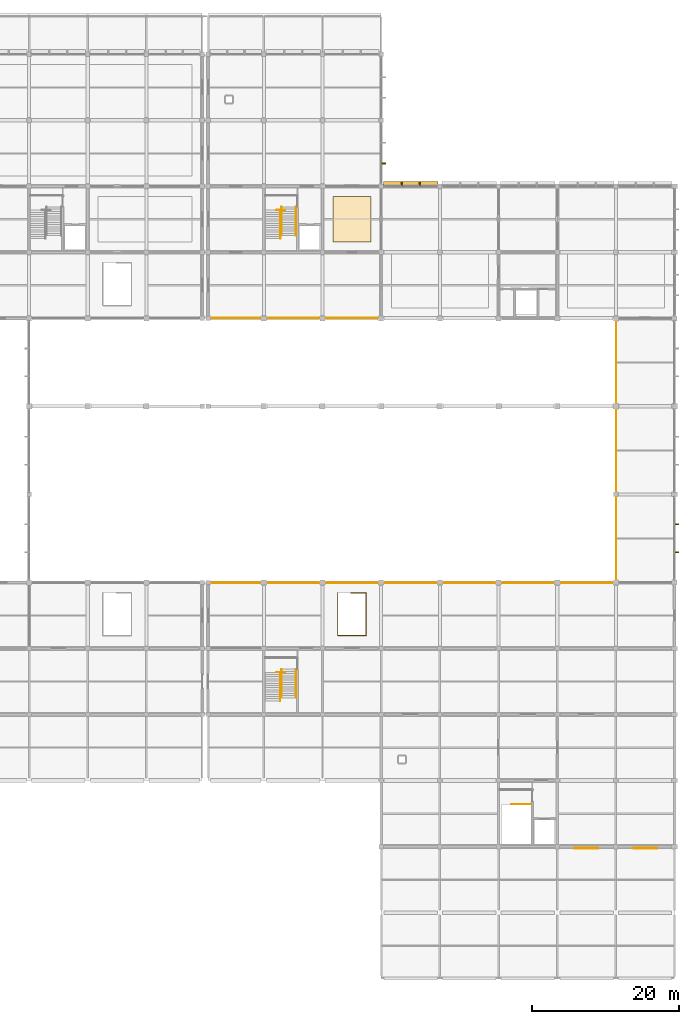
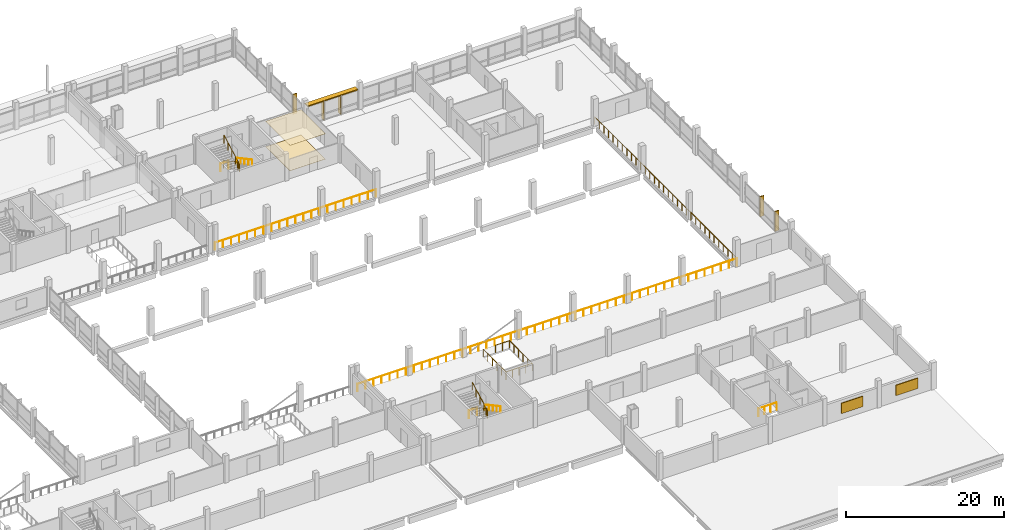
# One storey, part 56 of 57: 11 railings, 8 shading devices, 2 coverings.
"""IFC4 building model written with IfcOpenShell, lengths in metres."""

import ifcopenshell
import ifcopenshell.guid

model = None  # the IFC model being written
_history = None  # IfcOwnerHistory: only IFC2X3 demands one
_inside = {}  # id of a spatial element -> (the spatial element, [elements in it])
_under = {}  # id of a project, library or spatial element -> (it, [spatial elements below it])
_declared = {}  # id of a project -> (the project, [libraries it declares])
_typed = {}  # id of a type object -> (the type object, [elements of that type])
_made_of = {}  # id of a material, layer set ... -> (it, [elements and type objects made of it])


def new_model(schema):
    """Start an empty IFC model of exactly this schema.

    Asked for "IFC4X3", IfcOpenShell would pick the latest addendum, in which some entities
    have other attributes; the version numbers below select the first issue.
    IFC2X3 requires an IfcOwnerHistory on every rooted entity: one is made here for all.
    """
    global model, _history
    if schema == "IFC4X3":
        model = ifcopenshell.file(schema_version=(4, 3, 0, 0))
    else:
        model = ifcopenshell.file(schema=schema)
    _inside.clear()
    _under.clear()
    _declared.clear()
    _typed.clear()
    _made_of.clear()
    _history = None
    if model.schema == "IFC2X3":
        org = make("IfcOrganization", Name="unknown")
        user = make(
            "IfcPersonAndOrganization",
            ThePerson=make("IfcPerson", FamilyName="unknown"),
            TheOrganization=org,
        )
        app = make(
            "IfcApplication",
            ApplicationDeveloper=org,
            Version="unknown",
            ApplicationFullName="unknown",
            ApplicationIdentifier="unknown",
        )
        _history = make(
            "IfcOwnerHistory",
            OwningUser=user,
            OwningApplication=app,
            ChangeAction="ADDED",
            CreationDate=0,
        )
    return model


def make(cls, **values):
    """One entity of the class cls with the attributes given. An attribute that is None is left unset."""
    return model.create_entity(
        cls, **{name: value for name, value in values.items() if value is not None}
    )


def rooted(cls, **values):
    """An entity with a GlobalId (a new one), such as an element, a storey or a relation."""
    return make(cls, GlobalId=ifcopenshell.guid.new(), OwnerHistory=_history, **values)


def si_unit(unit_type, name, prefix=None):
    """IfcSIUnit, for example si_unit("LENGTHUNIT", "METRE", prefix="MILLI")."""
    return make("IfcSIUnit", UnitType=unit_type, Prefix=prefix, Name=name)


def assignment(units):
    """IfcUnitAssignment: the units of a project."""
    return None if units is None else make("IfcUnitAssignment", Units=units)


def point(xyz):
    """IfcCartesianPoint."""
    return None if xyz is None else make("IfcCartesianPoint", Coordinates=xyz)


def direction(xyz):
    """IfcDirection."""
    return None if xyz is None else make("IfcDirection", DirectionRatios=xyz)


def frame(location, z_axis=None, x_axis=None):
    """IfcAxis2Placement3D, a coordinate frame: its origin and axes. An axis left out is left unset."""
    return make(
        "IfcAxis2Placement3D",
        Location=point(location),
        Axis=direction(z_axis),
        RefDirection=direction(x_axis),
    )


def frame_2d(location, x_axis=None):
    """IfcAxis2Placement2D, a coordinate frame in the plane: its origin and x axis."""
    return make(
        "IfcAxis2Placement2D", Location=point(location), RefDirection=direction(x_axis)
    )


def origin():
    """The frame at (0, 0, 0) with its axes left unset."""
    return frame((0.0, 0.0, 0.0))


def origin_2d():
    """The frame at (0, 0) in the plane with its x axis left unset."""
    return frame_2d((0.0, 0.0))


def place(relative_to, where):
    """IfcLocalPlacement: puts the frame where relative to a parent placement (None: the world)."""
    return make(
        "IfcLocalPlacement", PlacementRelTo=relative_to, RelativePlacement=where
    )


def context(
    kind, dimensions, precision=None, world=None, true_north=None, identifier=None
):
    """IfcGeometricRepresentationContext, for example the 3D "Model" context."""
    return make(
        "IfcGeometricRepresentationContext",
        ContextIdentifier=identifier,
        ContextType=kind,
        CoordinateSpaceDimension=dimensions,
        Precision=precision,
        WorldCoordinateSystem=world,
        TrueNorth=true_north,
    )


def subcontext(parent, identifier, kind, view, scale=None):
    """IfcGeometricRepresentationSubContext, for example "Body" below "Model"."""
    return make(
        "IfcGeometricRepresentationSubContext",
        ContextIdentifier=identifier,
        ContextType=kind,
        ParentContext=parent,
        TargetScale=scale,
        TargetView=view,
    )


def project(units=None, contexts=None):
    """IfcProject with its units and contexts."""
    return rooted(
        "IfcProject",
        Name="project",
        RepresentationContexts=contexts,
        UnitsInContext=assignment(units),
    )


def spatial(cls, under=None, at=None, **own):
    """A site, building, storey or space (cls), placed at a placement, below another one or the project."""
    s = rooted(cls, ObjectPlacement=at, **own)
    if under is not None:
        _under.setdefault(under.id(), (under, []))[1].append(s)
    return s


def polyline(points):
    """IfcPolyline through the points."""
    return make("IfcPolyline", Points=[point(p) for p in points])


def profile(cls, at=None, kind="AREA", **sizes):
    """A parametric profile (cls). Its sizes go by their IFC names, for example OverallWidth=200.0."""
    return make(cls, ProfileType=kind, Position=at, **sizes)


def rectangle(**sizes):
    """IfcRectangleProfileDef."""
    return profile("IfcRectangleProfileDef", **sizes)


def circle(**sizes):
    """IfcCircleProfileDef."""
    return profile("IfcCircleProfileDef", **sizes)


def outline(outer, holes=None, kind="AREA"):
    """IfcArbitraryClosedProfileDef: a profile drawn as a closed curve; with holes, ...WithVoids."""
    if holes is None:
        return make("IfcArbitraryClosedProfileDef", ProfileType=kind, OuterCurve=outer)
    return make(
        "IfcArbitraryProfileDefWithVoids",
        ProfileType=kind,
        OuterCurve=outer,
        InnerCurves=holes,
    )


def extrude(swept, where, along, depth):
    """IfcExtrudedAreaSolid: the profile swept, set in the frame where, extruded along a direction by depth."""
    return make(
        "IfcExtrudedAreaSolid",
        SweptArea=swept,
        Position=where,
        ExtrudedDirection=direction(along),
        Depth=depth,
    )


def shape(context_of_items, identifier, shape_type, items):
    """IfcShapeRepresentation: the items that make up one representation, for example the "Body"."""
    return make(
        "IfcShapeRepresentation",
        ContextOfItems=context_of_items,
        RepresentationIdentifier=identifier,
        RepresentationType=shape_type,
        Items=items,
    )


def material(Name=None, Category=None):
    """IfcMaterial."""
    return make("IfcMaterial", Name=Name, Category=Category)


def layer(
    of_material, thickness, ventilated=None, Name=None, Category=None, Priority=None
):
    """IfcMaterialLayer: one layer of a wall or slab, of a material (None: an air gap)."""
    return make(
        "IfcMaterialLayer",
        Material=of_material,
        LayerThickness=thickness,
        IsVentilated=ventilated,
        Name=Name,
        Category=Category,
        Priority=Priority,
    )


def layer_set(layers, Name=None):
    """IfcMaterialLayerSet."""
    return make("IfcMaterialLayerSet", MaterialLayers=layers, LayerSetName=Name)


def made_of(thing, what):
    """Note that an element or type object is made of a material, layer set ...; save() writes the relation."""
    if what is not None:
        _made_of.setdefault(what.id(), (what, []))[1].append(thing)
    return thing


def type_object(cls, material=None, **own):
    """A type object (cls), such as IfcWallType, which elements share."""
    return made_of(rooted(cls, **own), material)


def element(
    cls,
    number,
    at=None,
    inside=None,
    cuts=None,
    type_object=None,
    material=None,
    context=None,
    identifier="Body",
    shape_type=None,
    held_by="IfcProductDefinitionShape",
    body=None,
    shapes=None,
    **own,
):
    """One element of the class cls, such as IfcWall. Its Tag is "e" and its number.

    at: its placement. inside: the storey or other place that contains it. cuts: it is an
    opening in that element (IfcRelVoidsElement). A single representation is given by context,
    identifier, shape_type and body (its items); several are given by shapes. held_by: the class
    of the entity that holds the representations. save() writes the other relations.
    """
    e = rooted(cls, Tag="e%d" % number, ObjectPlacement=at, **own)
    if body is not None:
        shapes = [shape(context, identifier, shape_type, body)]
    if shapes is not None:
        e.Representation = make(held_by, Representations=shapes)
    if inside is not None:
        _inside.setdefault(inside.id(), (inside, []))[1].append(e)
    if cuts is not None:
        rooted(
            "IfcRelVoidsElement", RelatingBuildingElement=cuts, RelatedOpeningElement=e
        )
    if type_object is not None:
        _typed.setdefault(type_object.id(), (type_object, []))[1].append(e)
    return made_of(e, material)


def aggregate(whole, parts):
    """IfcRelAggregates: a whole, such as a stair, and the parts it consists of."""
    return rooted("IfcRelAggregates", RelatingObject=whole, RelatedObjects=parts)


def save(model, path):
    """Write the relations noted so far, then the file.

    IfcRelAggregates (storeys below a building ...), IfcRelContainedInSpatialStructure (elements
    in a storey), IfcRelDefinesByType, IfcRelAssociatesMaterial and IfcRelDeclares: one each for
    every whole, place, type object, material and project.
    """
    for whole, parts in _under.values():
        aggregate(whole, parts)
    for where, things in _inside.values():
        rooted(
            "IfcRelContainedInSpatialStructure",
            RelatedElements=things,
            RelatingStructure=where,
        )
    for kind, things in _typed.values():
        rooted("IfcRelDefinesByType", RelatedObjects=things, RelatingType=kind)
    for what, things in _made_of.values():
        rooted("IfcRelAssociatesMaterial", RelatedObjects=things, RelatingMaterial=what)
    for by, libraries in _declared.values():
        rooted("IfcRelDeclares", RelatingContext=by, RelatedDefinitions=libraries)
    model.write(path)


model = new_model("IFC4")

# Units and contexts
model_context = context("Model", 3, precision=1e-05, world=origin(), true_north=direction((0.0, 1.0)))
body_context = subcontext(model_context, "Body", "Model", "MODEL_VIEW")
ifc_project = project(units=[si_unit("LENGTHUNIT", "METRE"), si_unit("AREAUNIT", "SQUARE_METRE"), si_unit("VOLUMEUNIT", "CUBIC_METRE"), si_unit("PLANEANGLEUNIT", "RADIAN"), si_unit("MASSUNIT", "GRAM", prefix="KILO"), si_unit("THERMODYNAMICTEMPERATUREUNIT", "KELVIN"), si_unit("POWERUNIT", "WATT")], contexts=[model_context])

# Site, building, storey
site_placement = place(None, origin())
site = spatial("IfcSite", under=ifc_project, at=site_placement, CompositionType="ELEMENT")
building_placement = place(site_placement, origin())
building = spatial("IfcBuilding", under=site, at=building_placement, Name="Kronsvod Quay Wholesale Market", CompositionType="ELEMENT")
storey_placement = place(building_placement, frame((0.0, 0.0, 4.800048828125)))
storey = spatial("IfcBuildingStorey", under=building, at=storey_placement, Name="L01", CompositionType="ELEMENT", Elevation=4.800048828125)

# Coverings
ifc_material_1 = material(Name="Moisture-resistant gypsum board ceiling")
ifc_layer_1 = layer(ifc_material_1, 0.02490234375)
ifc_layer_set_1 = layer_set([ifc_layer_1], Name="Moisture-resistant gypsum board ceiling")
covering_type_1 = type_object("IfcCoveringType", Name="Cov_Ceil03", PredefinedType="CEILING", material=ifc_layer_set_1)
covering_1_placement = place(storey_placement, frame((0.0, 0.0, 3.925048828125)))
element("IfcCovering", 1, at=covering_1_placement, inside=storey, type_object=covering_type_1, Name="CLG-SP-L01-V5-11", PredefinedType="CEILING", context=body_context, shape_type="SweptSolid", body=[
    extrude(outline(polyline([(145.39990234375, 100.39990234375), (150.60009765625, 100.39990234375), (150.60009765625, 106.60009765625), (145.39990234375, 106.60009765625), (145.39990234375, 100.39990234375)])), origin(), (0.0, 0.0, 1.0), 0.02490234375),
])
ifc_material_2 = material(Name="Heavy-duty polyurethane resin market screed")
ifc_layer_2 = layer(ifc_material_2, 0.02001953125)
ifc_layer_set_2 = layer_set([ifc_layer_2], Name="Heavy-duty polyurethane resin market screed")
covering_type_2 = type_object("IfcCoveringType", Name="Cov_Floor01", PredefinedType="FLOORING", material=ifc_layer_set_2)
covering_2_placement = place(storey_placement, origin())
element("IfcCovering", 2, at=covering_2_placement, inside=storey, type_object=covering_type_2, Name="FLR-SP-L01-V5-11", PredefinedType="FLOORING", context=body_context, shape_type="SweptSolid", body=[
    extrude(outline(polyline([(145.39990234375, 100.39990234375), (150.60009765625, 100.39990234375), (150.60009765625, 106.60009765625), (145.39990234375, 106.60009765625), (145.39990234375, 100.39990234375)])), origin(), (0.0, 0.0, 1.0), 0.02001953125),
])

# Railings
ifc_material_3 = material(Name="Stainless steel and laminated glass", Category="steel")
railing_type_1 = type_object("IfcRailingType", Name="Railing_Balustrade1150", PredefinedType="BALUSTRADE", material=ifc_material_3)
railing_1_placement = place(storey_placement, frame((128.449951171875, 53.949951171875, 0.0)))
element("IfcRailing", 3, at=railing_1_placement, inside=storey, type_object=railing_type_1, Name="GRD-L01-V2S2", PredefinedType="BALUSTRADE", context=body_context, shape_type="SweptSolid", body=[
    extrude(circle(Radius=0.02392578125, at=origin_2d()), frame((0.0, 0.0, 1.1259765625), z_axis=(1.0, 0.0, 0.0), x_axis=(0.0, 1.0, 0.0)), (0.0, 0.0, 1.0), 55.60009765625),
    extrude(circle(Radius=0.02099609375, at=origin_2d()), origin(), (0.0, 0.0, 1.0), 1.101806640625),
    extrude(circle(Radius=0.02099609375, at=origin_2d()), frame((1.182861328125, 0.0, 0.0)), (0.0, 0.0, 1.0), 1.101806640625),
    extrude(circle(Radius=0.02099609375, at=origin_2d()), frame((2.365966796875, 0.0, 0.0)), (0.0, 0.0, 1.0), 1.101806640625),
    extrude(circle(Radius=0.02099609375, at=origin_2d()), frame((3.548828125, 0.0, 0.0)), (0.0, 0.0, 1.0), 1.101806640625),
    extrude(circle(Radius=0.02099609375, at=origin_2d()), frame((4.73193359375, 0.0, 0.0)), (0.0, 0.0, 1.0), 1.101806640625),
    extrude(circle(Radius=0.02099609375, at=origin_2d()), frame((5.914794921875, 0.0, 0.0)), (0.0, 0.0, 1.0), 1.101806640625),
    extrude(circle(Radius=0.02099609375, at=origin_2d()), frame((7.097900390625, 0.0, 0.0)), (0.0, 0.0, 1.0), 1.101806640625),
    extrude(circle(Radius=0.02099609375, at=origin_2d()), frame((8.28076171875, 0.0, 0.0)), (0.0, 0.0, 1.0), 1.101806640625),
    extrude(circle(Radius=0.02099609375, at=origin_2d()), frame((9.4638671875, 0.0, 0.0)), (0.0, 0.0, 1.0), 1.101806640625),
    extrude(circle(Radius=0.02099609375, at=origin_2d()), frame((10.646728515625, 0.0, 0.0)), (0.0, 0.0, 1.0), 1.101806640625),
    extrude(circle(Radius=0.02099609375, at=origin_2d()), frame((11.829833984375, 0.0, 0.0)), (0.0, 0.0, 1.0), 1.101806640625),
    extrude(circle(Radius=0.02099609375, at=origin_2d()), frame((13.0126953125, 0.0, 0.0)), (0.0, 0.0, 1.0), 1.101806640625),
    extrude(circle(Radius=0.02099609375, at=origin_2d()), frame((14.19580078125, 0.0, 0.0)), (0.0, 0.0, 1.0), 1.101806640625),
    extrude(circle(Radius=0.02099609375, at=origin_2d()), frame((15.378662109375, 0.0, 0.0)), (0.0, 0.0, 1.0), 1.101806640625),
    extrude(circle(Radius=0.02099609375, at=origin_2d()), frame((16.561767578125, 0.0, 0.0)), (0.0, 0.0, 1.0), 1.101806640625),
    extrude(circle(Radius=0.02099609375, at=origin_2d()), frame((17.74462890625, 0.0, 0.0)), (0.0, 0.0, 1.0), 1.101806640625),
    extrude(circle(Radius=0.02099609375, at=origin_2d()), frame((18.927734375, 0.0, 0.0)), (0.0, 0.0, 1.0), 1.101806640625),
    extrude(circle(Radius=0.02099609375, at=origin_2d()), frame((20.110595703125, 0.0, 0.0)), (0.0, 0.0, 1.0), 1.101806640625),
    extrude(circle(Radius=0.02099609375, at=origin_2d()), frame((21.293701171875, 0.0, 0.0)), (0.0, 0.0, 1.0), 1.101806640625),
    extrude(circle(Radius=0.02099609375, at=origin_2d()), frame((22.4765625, 0.0, 0.0)), (0.0, 0.0, 1.0), 1.101806640625),
    extrude(circle(Radius=0.02099609375, at=origin_2d()), frame((23.65966796875, 0.0, 0.0)), (0.0, 0.0, 1.0), 1.101806640625),
    extrude(circle(Radius=0.02099609375, at=origin_2d()), frame((24.842529296875, 0.0, 0.0)), (0.0, 0.0, 1.0), 1.101806640625),
    extrude(circle(Radius=0.02099609375, at=origin_2d()), frame((26.025634765625, 0.0, 0.0)), (0.0, 0.0, 1.0), 1.101806640625),
    extrude(circle(Radius=0.02099609375, at=origin_2d()), frame((27.20849609375, 0.0, 0.0)), (0.0, 0.0, 1.0), 1.101806640625),
    extrude(circle(Radius=0.02099609375, at=origin_2d()), frame((28.3916015625, 0.0, 0.0)), (0.0, 0.0, 1.0), 1.101806640625),
    extrude(circle(Radius=0.02099609375, at=origin_2d()), frame((29.574462890625, 0.0, 0.0)), (0.0, 0.0, 1.0), 1.101806640625),
    extrude(circle(Radius=0.02099609375, at=origin_2d()), frame((30.757568359375, 0.0, 0.0)), (0.0, 0.0, 1.0), 1.101806640625),
    extrude(circle(Radius=0.02099609375, at=origin_2d()), frame((31.9404296875, 0.0, 0.0)), (0.0, 0.0, 1.0), 1.101806640625),
    extrude(circle(Radius=0.02099609375, at=origin_2d()), frame((33.12353515625, 0.0, 0.0)), (0.0, 0.0, 1.0), 1.101806640625),
    extrude(circle(Radius=0.02099609375, at=origin_2d()), frame((34.306396484375, 0.0, 0.0)), (0.0, 0.0, 1.0), 1.101806640625),
    extrude(circle(Radius=0.02099609375, at=origin_2d()), frame((35.489501953125, 0.0, 0.0)), (0.0, 0.0, 1.0), 1.101806640625),
    extrude(circle(Radius=0.02099609375, at=origin_2d()), frame((36.67236328125, 0.0, 0.0)), (0.0, 0.0, 1.0), 1.101806640625),
    extrude(circle(Radius=0.02099609375, at=origin_2d()), frame((37.85546875, 0.0, 0.0)), (0.0, 0.0, 1.0), 1.101806640625),
    extrude(circle(Radius=0.02099609375, at=origin_2d()), frame((39.038330078125, 0.0, 0.0)), (0.0, 0.0, 1.0), 1.101806640625),
    extrude(circle(Radius=0.02099609375, at=origin_2d()), frame((40.221435546875, 0.0, 0.0)), (0.0, 0.0, 1.0), 1.101806640625),
    extrude(circle(Radius=0.02099609375, at=origin_2d()), frame((41.404296875, 0.0, 0.0)), (0.0, 0.0, 1.0), 1.101806640625),
    extrude(circle(Radius=0.02099609375, at=origin_2d()), frame((42.58740234375, 0.0, 0.0)), (0.0, 0.0, 1.0), 1.101806640625),
    extrude(circle(Radius=0.02099609375, at=origin_2d()), frame((43.770263671875, 0.0, 0.0)), (0.0, 0.0, 1.0), 1.101806640625),
    extrude(circle(Radius=0.02099609375, at=origin_2d()), frame((44.953369140625, 0.0, 0.0)), (0.0, 0.0, 1.0), 1.101806640625),
    extrude(circle(Radius=0.02099609375, at=origin_2d()), frame((46.13623046875, 0.0, 0.0)), (0.0, 0.0, 1.0), 1.101806640625),
    extrude(circle(Radius=0.02099609375, at=origin_2d()), frame((47.3193359375, 0.0, 0.0)), (0.0, 0.0, 1.0), 1.101806640625),
    extrude(circle(Radius=0.02099609375, at=origin_2d()), frame((48.502197265625, 0.0, 0.0)), (0.0, 0.0, 1.0), 1.101806640625),
    extrude(circle(Radius=0.02099609375, at=origin_2d()), frame((49.685302734375, 0.0, 0.0)), (0.0, 0.0, 1.0), 1.101806640625),
    extrude(circle(Radius=0.02099609375, at=origin_2d()), frame((50.8681640625, 0.0, 0.0)), (0.0, 0.0, 1.0), 1.101806640625),
    extrude(circle(Radius=0.02099609375, at=origin_2d()), frame((52.05126953125, 0.0, 0.0)), (0.0, 0.0, 1.0), 1.101806640625),
    extrude(circle(Radius=0.02099609375, at=origin_2d()), frame((53.234130859375, 0.0, 0.0)), (0.0, 0.0, 1.0), 1.101806640625),
    extrude(circle(Radius=0.02099609375, at=origin_2d()), frame((54.417236328125, 0.0, 0.0)), (0.0, 0.0, 1.0), 1.101806640625),
    extrude(circle(Radius=0.02099609375, at=origin_2d()), frame((55.60009765625, 0.0, 0.0)), (0.0, 0.0, 1.0), 1.101806640625),
])
railing_2_placement = place(storey_placement, frame((184.050048828125, 53.949951171875, 0.0)))
element("IfcRailing", 4, at=railing_2_placement, inside=storey, type_object=railing_type_1, Name="GRD-L01-V2E", PredefinedType="BALUSTRADE", context=body_context, shape_type="SweptSolid", body=[
    extrude(circle(Radius=0.02392578125, at=origin_2d()), frame((0.0, 0.0, 1.1259765625), z_axis=(0.0, 1.0, 0.0), x_axis=(-1.0, 0.0, 0.0)), (0.0, 0.0, 1.0), 36.10009765625),
    extrude(circle(Radius=0.02099609375, at=origin_2d()), origin(), (0.0, 0.0, 1.0), 1.101806640625),
    extrude(circle(Radius=0.02099609375, at=origin_2d()), frame((0.0, 1.16455078125, 0.0)), (0.0, 0.0, 1.0), 1.101806640625),
    extrude(circle(Radius=0.02099609375, at=origin_2d()), frame((0.0, 2.3291015625, 0.0)), (0.0, 0.0, 1.0), 1.101806640625),
    extrude(circle(Radius=0.02099609375, at=origin_2d()), frame((0.0, 3.49365234375, 0.0)), (0.0, 0.0, 1.0), 1.101806640625),
    extrude(circle(Radius=0.02099609375, at=origin_2d()), frame((0.0, 4.657958984375, 0.0)), (0.0, 0.0, 1.0), 1.101806640625),
    extrude(circle(Radius=0.02099609375, at=origin_2d()), frame((0.0, 5.822509765625, 0.0)), (0.0, 0.0, 1.0), 1.101806640625),
    extrude(circle(Radius=0.02099609375, at=origin_2d()), frame((0.0, 6.987060546875, 0.0)), (0.0, 0.0, 1.0), 1.101806640625),
    extrude(circle(Radius=0.02099609375, at=origin_2d()), frame((0.0, 8.151611328125, 0.0)), (0.0, 0.0, 1.0), 1.101806640625),
    extrude(circle(Radius=0.02099609375, at=origin_2d()), frame((0.0, 9.316162109375, 0.0)), (0.0, 0.0, 1.0), 1.101806640625),
    extrude(circle(Radius=0.02099609375, at=origin_2d()), frame((0.0, 10.480712890625, 0.0)), (0.0, 0.0, 1.0), 1.101806640625),
    extrude(circle(Radius=0.02099609375, at=origin_2d()), frame((0.0, 11.645263671875, 0.0)), (0.0, 0.0, 1.0), 1.101806640625),
    extrude(circle(Radius=0.02099609375, at=origin_2d()), frame((0.0, 12.809814453125, 0.0)), (0.0, 0.0, 1.0), 1.101806640625),
    extrude(circle(Radius=0.02099609375, at=origin_2d()), frame((0.0, 13.97412109375, 0.0)), (0.0, 0.0, 1.0), 1.101806640625),
    extrude(circle(Radius=0.02099609375, at=origin_2d()), frame((0.0, 15.138671875, 0.0)), (0.0, 0.0, 1.0), 1.101806640625),
    extrude(circle(Radius=0.02099609375, at=origin_2d()), frame((0.0, 16.30322265625, 0.0)), (0.0, 0.0, 1.0), 1.101806640625),
    extrude(circle(Radius=0.02099609375, at=origin_2d()), frame((0.0, 17.4677734375, 0.0)), (0.0, 0.0, 1.0), 1.101806640625),
    extrude(circle(Radius=0.02099609375, at=origin_2d()), frame((0.0, 18.63232421875, 0.0)), (0.0, 0.0, 1.0), 1.101806640625),
    extrude(circle(Radius=0.02099609375, at=origin_2d()), frame((0.0, 19.796875, 0.0)), (0.0, 0.0, 1.0), 1.101806640625),
    extrude(circle(Radius=0.02099609375, at=origin_2d()), frame((0.0, 20.96142578125, 0.0)), (0.0, 0.0, 1.0), 1.101806640625),
    extrude(circle(Radius=0.02099609375, at=origin_2d()), frame((0.0, 22.1259765625, 0.0)), (0.0, 0.0, 1.0), 1.101806640625),
    extrude(circle(Radius=0.02099609375, at=origin_2d()), frame((0.0, 23.290283203125, 0.0)), (0.0, 0.0, 1.0), 1.101806640625),
    extrude(circle(Radius=0.02099609375, at=origin_2d()), frame((0.0, 24.454833984375, 0.0)), (0.0, 0.0, 1.0), 1.101806640625),
    extrude(circle(Radius=0.02099609375, at=origin_2d()), frame((0.0, 25.619384765625, 0.0)), (0.0, 0.0, 1.0), 1.101806640625),
    extrude(circle(Radius=0.02099609375, at=origin_2d()), frame((0.0, 26.783935546875, 0.0)), (0.0, 0.0, 1.0), 1.101806640625),
    extrude(circle(Radius=0.02099609375, at=origin_2d()), frame((0.0, 27.948486328125, 0.0)), (0.0, 0.0, 1.0), 1.101806640625),
    extrude(circle(Radius=0.02099609375, at=origin_2d()), frame((0.0, 29.113037109375, 0.0)), (0.0, 0.0, 1.0), 1.101806640625),
    extrude(circle(Radius=0.02099609375, at=origin_2d()), frame((0.0, 30.277587890625, 0.0)), (0.0, 0.0, 1.0), 1.101806640625),
    extrude(circle(Radius=0.02099609375, at=origin_2d()), frame((0.0, 31.442138671875, 0.0)), (0.0, 0.0, 1.0), 1.101806640625),
    extrude(circle(Radius=0.02099609375, at=origin_2d()), frame((0.0, 32.6064453125, 0.0)), (0.0, 0.0, 1.0), 1.101806640625),
    extrude(circle(Radius=0.02099609375, at=origin_2d()), frame((0.0, 33.77099609375, 0.0)), (0.0, 0.0, 1.0), 1.101806640625),
    extrude(circle(Radius=0.02099609375, at=origin_2d()), frame((0.0, 34.935546875, 0.0)), (0.0, 0.0, 1.0), 1.101806640625),
    extrude(circle(Radius=0.02099609375, at=origin_2d()), frame((0.0, 36.10009765625, 0.0)), (0.0, 0.0, 1.0), 1.101806640625),
])
railing_3_placement = place(storey_placement, frame((128.449951171875, 90.050048828125, 0.0)))
element("IfcRailing", 5, at=railing_3_placement, inside=storey, type_object=railing_type_1, Name="GRD-L01-V2N2", PredefinedType="BALUSTRADE", context=body_context, shape_type="SweptSolid", body=[
    extrude(circle(Radius=0.02392578125, at=origin_2d()), frame((0.0, 0.0, 1.1259765625), z_axis=(1.0, 0.0, 0.0), x_axis=(0.0, 1.0, 0.0)), (0.0, 0.0, 1.0), 23.550048828125),
    extrude(circle(Radius=0.02099609375, at=origin_2d()), origin(), (0.0, 0.0, 1.0), 1.101806640625),
    extrude(circle(Radius=0.02099609375, at=origin_2d()), frame((1.177490234375, 0.0, 0.0)), (0.0, 0.0, 1.0), 1.101806640625),
    extrude(circle(Radius=0.02099609375, at=origin_2d()), frame((2.35498046875, 0.0, 0.0)), (0.0, 0.0, 1.0), 1.101806640625),
    extrude(circle(Radius=0.02099609375, at=origin_2d()), frame((3.532470703125, 0.0, 0.0)), (0.0, 0.0, 1.0), 1.101806640625),
    extrude(circle(Radius=0.02099609375, at=origin_2d()), frame((4.7099609375, 0.0, 0.0)), (0.0, 0.0, 1.0), 1.101806640625),
    extrude(circle(Radius=0.02099609375, at=origin_2d()), frame((5.887451171875, 0.0, 0.0)), (0.0, 0.0, 1.0), 1.101806640625),
    extrude(circle(Radius=0.02099609375, at=origin_2d()), frame((7.06494140625, 0.0, 0.0)), (0.0, 0.0, 1.0), 1.101806640625),
    extrude(circle(Radius=0.02099609375, at=origin_2d()), frame((8.242431640625, 0.0, 0.0)), (0.0, 0.0, 1.0), 1.101806640625),
    extrude(circle(Radius=0.02099609375, at=origin_2d()), frame((9.419921875, 0.0, 0.0)), (0.0, 0.0, 1.0), 1.101806640625),
    extrude(circle(Radius=0.02099609375, at=origin_2d()), frame((10.597412109375, 0.0, 0.0)), (0.0, 0.0, 1.0), 1.101806640625),
    extrude(circle(Radius=0.02099609375, at=origin_2d()), frame((11.77490234375, 0.0, 0.0)), (0.0, 0.0, 1.0), 1.101806640625),
    extrude(circle(Radius=0.02099609375, at=origin_2d()), frame((12.95263671875, 0.0, 0.0)), (0.0, 0.0, 1.0), 1.101806640625),
    extrude(circle(Radius=0.02099609375, at=origin_2d()), frame((14.130126953125, 0.0, 0.0)), (0.0, 0.0, 1.0), 1.101806640625),
    extrude(circle(Radius=0.02099609375, at=origin_2d()), frame((15.3076171875, 0.0, 0.0)), (0.0, 0.0, 1.0), 1.101806640625),
    extrude(circle(Radius=0.02099609375, at=origin_2d()), frame((16.485107421875, 0.0, 0.0)), (0.0, 0.0, 1.0), 1.101806640625),
    extrude(circle(Radius=0.02099609375, at=origin_2d()), frame((17.66259765625, 0.0, 0.0)), (0.0, 0.0, 1.0), 1.101806640625),
    extrude(circle(Radius=0.02099609375, at=origin_2d()), frame((18.840087890625, 0.0, 0.0)), (0.0, 0.0, 1.0), 1.101806640625),
    extrude(circle(Radius=0.02099609375, at=origin_2d()), frame((20.017578125, 0.0, 0.0)), (0.0, 0.0, 1.0), 1.101806640625),
    extrude(circle(Radius=0.02099609375, at=origin_2d()), frame((21.195068359375, 0.0, 0.0)), (0.0, 0.0, 1.0), 1.101806640625),
    extrude(circle(Radius=0.02099609375, at=origin_2d()), frame((22.37255859375, 0.0, 0.0)), (0.0, 0.0, 1.0), 1.101806640625),
    extrude(circle(Radius=0.02099609375, at=origin_2d()), frame((23.550048828125, 0.0, 0.0)), (0.0, 0.0, 1.0), 1.101806640625),
])
ifc_material_4 = material(Name="Stainless steel", Category="steel")
railing_type_2 = type_object("IfcRailingType", Name="Railing_Guard1200", PredefinedType="GUARDRAIL", material=ifc_material_4)
railing_4_placement = place(storey_placement, frame((137.75, 41.760009765625, 0.0)))
element("IfcRailing", 6, at=railing_4_placement, inside=storey, type_object=railing_type_2, Name="ST05-L00-TOP-GRD", PredefinedType="GUARDRAIL", context=body_context, shape_type="SweptSolid", body=[
    extrude(circle(Radius=0.02392578125, at=origin_2d()), frame((0.0, 0.0, 1.17578125), z_axis=(1.0, 0.0, 0.0), x_axis=(0.0, 1.0, 0.0)), (0.0, 0.0, 1.0), 1.159912109375),
    extrude(circle(Radius=0.02099609375, at=origin_2d()), origin(), (0.0, 0.0, 1.0), 1.15185546875),
    extrude(circle(Radius=0.02099609375, at=origin_2d()), frame((1.159912109375, 0.0, 0.0)), (0.0, 0.0, 1.0), 1.15185546875),
])
railing_5_placement = place(storey_placement, frame((138.419921875, 42.179931640625, 0.0)))
element("IfcRailing", 7, at=railing_5_placement, inside=storey, type_object=railing_type_2, Name="ST05-L01-SLOT-GRD", PredefinedType="GUARDRAIL", context=body_context, shape_type="SweptSolid", body=[
    extrude(circle(Radius=0.02392578125, at=origin_2d()), frame((0.0, 0.0, 1.17578125), z_axis=(0.0, -0.877901955688, 0.478840428744), x_axis=(1.0, 0.0, 0.0)), (0.0, 0.0, 1.0), 4.38525390625),
    extrude(circle(Radius=0.02392578125, at=origin_2d()), frame((0.0, -3.849853515625, 3.27587890625), z_axis=(-1.0, 0.0, 0.0), x_axis=(0.0, -1.0, 0.0)), (0.0, 0.0, 1.0), 0.179931640625),
    extrude(circle(Radius=0.02392578125, at=origin_2d()), frame((-0.179931640625, -3.849853515625, 3.27587890625), z_axis=(0.0, -1.0, 0.0), x_axis=(1.0, 0.0, 0.0)), (0.0, 0.0, 1.0), 0.469970703125),
    extrude(circle(Radius=0.02392578125, at=origin_2d()), frame((-0.179931640625, -4.31982421875, 3.27587890625), z_axis=(0.0, 0.880456940745, 0.474126117709), x_axis=(-1.0, 0.0, 0.0)), (0.0, 0.0, 1.0), 4.429443359375),
    extrude(circle(Radius=0.02099609375, at=origin_2d()), origin(), (0.0, 0.0, 1.0), 1.15185546875),
    extrude(circle(Radius=0.02099609375, at=origin_2d()), frame((0.0, -0.96240234375, 0.52490234375)), (0.0, 0.0, 1.0), 1.15185546875),
    extrude(circle(Radius=0.02099609375, at=origin_2d()), frame((0.0, -1.9248046875, 1.0498046875)), (0.0, 0.0, 1.0), 1.15185546875),
    extrude(circle(Radius=0.02099609375, at=origin_2d()), frame((0.0, -2.887451171875, 1.574951171875)), (0.0, 0.0, 1.0), 1.15185546875),
    extrude(circle(Radius=0.02099609375, at=origin_2d()), frame((0.0, -3.849853515625, 2.099853515625)), (0.0, 0.0, 1.0), 1.15185546875),
    extrude(circle(Radius=0.02099609375, at=origin_2d()), frame((-0.179931640625, -3.849853515625, 2.099853515625)), (0.0, 0.0, 1.0), 1.15185546875),
    extrude(circle(Radius=0.02099609375, at=origin_2d()), frame((-0.179931640625, -4.31982421875, 2.099853515625)), (0.0, 0.0, 1.0), 1.15185546875),
    extrude(circle(Radius=0.02099609375, at=origin_2d()), frame((-0.179931640625, -3.3447265625, 2.625)), (0.0, 0.0, 1.0), 1.15185546875),
    extrude(circle(Radius=0.02099609375, at=origin_2d()), frame((-0.179931640625, -2.369873046875, 3.14990234375)), (0.0, 0.0, 1.0), 1.15185546875),
    extrude(circle(Radius=0.02099609375, at=origin_2d()), frame((-0.179931640625, -1.39501953125, 3.6748046875)), (0.0, 0.0, 1.0), 1.15185546875),
    extrude(circle(Radius=0.02099609375, at=origin_2d()), frame((-0.179931640625, -0.419921875, 4.199951171875)), (0.0, 0.0, 1.0), 1.15185546875),
])
railing_6_placement = place(storey_placement, frame((169.75, 23.760009765625, 0.0)))
element("IfcRailing", 8, at=railing_6_placement, inside=storey, type_object=railing_type_2, Name="ST06-L00-TOP-GRD", PredefinedType="GUARDRAIL", context=body_context, shape_type="SweptSolid", body=[
    extrude(circle(Radius=0.02392578125, at=origin_2d()), frame((0.0, 0.0, 1.17578125), z_axis=(1.0, 0.0, 0.0), x_axis=(0.0, 1.0, 0.0)), (0.0, 0.0, 1.0), 2.68994140625),
    extrude(circle(Radius=0.02099609375, at=origin_2d()), origin(), (0.0, 0.0, 1.0), 1.15185546875),
    extrude(circle(Radius=0.02099609375, at=origin_2d()), frame((0.896728515625, 0.0, 0.0)), (0.0, 0.0, 1.0), 1.15185546875),
    extrude(circle(Radius=0.02099609375, at=origin_2d()), frame((1.793212890625, 0.0, 0.0)), (0.0, 0.0, 1.0), 1.15185546875),
    extrude(circle(Radius=0.02099609375, at=origin_2d()), frame((2.68994140625, 0.0, 0.0)), (0.0, 0.0, 1.0), 1.15185546875),
])
railing_7_placement = place(storey_placement, frame((137.75, 104.760009765625, 0.0)))
element("IfcRailing", 9, at=railing_7_placement, inside=storey, type_object=railing_type_2, Name="ST10-L00-TOP-GRD", PredefinedType="GUARDRAIL", context=body_context, shape_type="SweptSolid", body=[
    extrude(circle(Radius=0.02392578125, at=origin_2d()), frame((0.0, 0.0, 1.17578125), z_axis=(1.0, 0.0, 0.0), x_axis=(0.0, 1.0, 0.0)), (0.0, 0.0, 1.0), 1.159912109375),
    extrude(circle(Radius=0.02099609375, at=origin_2d()), origin(), (0.0, 0.0, 1.0), 1.15185546875),
    extrude(circle(Radius=0.02099609375, at=origin_2d()), frame((1.159912109375, 0.0, 0.0)), (0.0, 0.0, 1.0), 1.15185546875),
])
railing_8_placement = place(storey_placement, frame((138.39990234375, 105.179931640625, 0.0)))
element("IfcRailing", 10, at=railing_8_placement, inside=storey, type_object=railing_type_2, Name="ST10-L01-SLOT-GRD", PredefinedType="GUARDRAIL", context=body_context, shape_type="SweptSolid", body=[
    extrude(circle(Radius=0.02392578125, at=origin_2d()), frame((0.0, 0.0, 1.17578125), z_axis=(0.0, -0.877901955688, 0.478840428744), x_axis=(1.0, 0.0, 0.0)), (0.0, 0.0, 1.0), 4.38525390625),
    extrude(circle(Radius=0.02392578125, at=origin_2d()), frame((0.0, -3.849853515625, 3.27587890625), z_axis=(-1.0, 0.0, 0.0), x_axis=(0.0, -1.0, 0.0)), (0.0, 0.0, 1.0), 0.139892578125),
    extrude(circle(Radius=0.02392578125, at=origin_2d()), frame((-0.139892578125, -3.849853515625, 3.27587890625), z_axis=(0.0, -1.0, 0.0), x_axis=(1.0, 0.0, 0.0)), (0.0, 0.0, 1.0), 0.469970703125),
    extrude(circle(Radius=0.02392578125, at=origin_2d()), frame((-0.139892578125, -4.31982421875, 3.27587890625), z_axis=(0.0, 0.880456940745, 0.474126117709), x_axis=(-1.0, 0.0, 0.0)), (0.0, 0.0, 1.0), 4.429443359375),
    extrude(circle(Radius=0.02099609375, at=origin_2d()), origin(), (0.0, 0.0, 1.0), 1.15185546875),
    extrude(circle(Radius=0.02099609375, at=origin_2d()), frame((0.0, -0.96240234375, 0.52490234375)), (0.0, 0.0, 1.0), 1.15185546875),
    extrude(circle(Radius=0.02099609375, at=origin_2d()), frame((0.0, -1.9248046875, 1.0498046875)), (0.0, 0.0, 1.0), 1.15185546875),
    extrude(circle(Radius=0.02099609375, at=origin_2d()), frame((0.0, -2.887451171875, 1.574951171875)), (0.0, 0.0, 1.0), 1.15185546875),
    extrude(circle(Radius=0.02099609375, at=origin_2d()), frame((0.0, -3.849853515625, 2.099853515625)), (0.0, 0.0, 1.0), 1.15185546875),
    extrude(circle(Radius=0.02099609375, at=origin_2d()), frame((-0.139892578125, -3.849853515625, 2.099853515625)), (0.0, 0.0, 1.0), 1.15185546875),
    extrude(circle(Radius=0.02099609375, at=origin_2d()), frame((-0.139892578125, -4.31982421875, 2.099853515625)), (0.0, 0.0, 1.0), 1.15185546875),
    extrude(circle(Radius=0.02099609375, at=origin_2d()), frame((-0.139892578125, -3.3447265625, 2.625)), (0.0, 0.0, 1.0), 1.15185546875),
    extrude(circle(Radius=0.02099609375, at=origin_2d()), frame((-0.139892578125, -2.369873046875, 3.14990234375)), (0.0, 0.0, 1.0), 1.15185546875),
    extrude(circle(Radius=0.02099609375, at=origin_2d()), frame((-0.139892578125, -1.39501953125, 3.6748046875)), (0.0, 0.0, 1.0), 1.15185546875),
    extrude(circle(Radius=0.02099609375, at=origin_2d()), frame((-0.139892578125, -0.419921875, 4.199951171875)), (0.0, 0.0, 1.0), 1.15185546875),
])
railing_9_placement = place(storey_placement, frame((147.89990234375, 52.570068359375, 0.0)))
element("IfcRailing", 11, at=railing_9_placement, inside=storey, type_object=railing_type_2, Name="ST-GAL-E2-L01-GRD", PredefinedType="GUARDRAIL", context=body_context, shape_type="SweptSolid", body=[
    extrude(circle(Radius=0.02392578125, at=origin_2d()), frame((0.0, 0.0, 1.17578125), z_axis=(1.0, 0.0, 0.0), x_axis=(0.0, 1.0, 0.0)), (0.0, 0.0, 1.0), 2.02001953125),
    extrude(circle(Radius=0.02392578125, at=origin_2d()), frame((2.02001953125, 0.0, 1.17578125), z_axis=(0.0, -1.0, 0.0), x_axis=(1.0, 0.0, 0.0)), (0.0, 0.0, 1.0), 5.7900390625),
    extrude(circle(Radius=0.02392578125, at=origin_2d()), frame((2.02001953125, -5.7900390625, 1.17578125), z_axis=(-1.0, 0.0, 0.0), x_axis=(0.0, -1.0, 0.0)), (0.0, 0.0, 1.0), 3.83984375),
    extrude(circle(Radius=0.02392578125, at=origin_2d()), frame((-1.81982421875, -5.7900390625, 1.17578125), z_axis=(0.0, 1.0, 0.0), x_axis=(-1.0, 0.0, 0.0)), (0.0, 0.0, 1.0), 5.7900390625),
    extrude(circle(Radius=0.02099609375, at=origin_2d()), origin(), (0.0, 0.0, 1.0), 1.15185546875),
    extrude(circle(Radius=0.02099609375, at=origin_2d()), frame((1.010009765625, 0.0, 0.0)), (0.0, 0.0, 1.0), 1.15185546875),
    extrude(circle(Radius=0.02099609375, at=origin_2d()), frame((2.02001953125, 0.0, 0.0)), (0.0, 0.0, 1.0), 1.15185546875),
    extrude(circle(Radius=0.02099609375, at=origin_2d()), frame((2.02001953125, -1.157958984375, 0.0)), (0.0, 0.0, 1.0), 1.15185546875),
    extrude(circle(Radius=0.02099609375, at=origin_2d()), frame((2.02001953125, -2.31591796875, 0.0)), (0.0, 0.0, 1.0), 1.15185546875),
    extrude(circle(Radius=0.02099609375, at=origin_2d()), frame((2.02001953125, -3.47412109375, 0.0)), (0.0, 0.0, 1.0), 1.15185546875),
    extrude(circle(Radius=0.02099609375, at=origin_2d()), frame((2.02001953125, -4.632080078125, 0.0)), (0.0, 0.0, 1.0), 1.15185546875),
    extrude(circle(Radius=0.02099609375, at=origin_2d()), frame((2.02001953125, -5.7900390625, 0.0)), (0.0, 0.0, 1.0), 1.15185546875),
    extrude(circle(Radius=0.02099609375, at=origin_2d()), frame((1.06005859375, -5.7900390625, 0.0)), (0.0, 0.0, 1.0), 1.15185546875),
    extrude(circle(Radius=0.02099609375, at=origin_2d()), frame((0.10009765625, -5.7900390625, 0.0)), (0.0, 0.0, 1.0), 1.15185546875),
    extrude(circle(Radius=0.02099609375, at=origin_2d()), frame((-0.85986328125, -5.7900390625, 0.0)), (0.0, 0.0, 1.0), 1.15185546875),
    extrude(circle(Radius=0.02099609375, at=origin_2d()), frame((-1.81982421875, -5.7900390625, 0.0)), (0.0, 0.0, 1.0), 1.15185546875),
    extrude(circle(Radius=0.02099609375, at=origin_2d()), frame((-1.81982421875, -4.632080078125, 0.0)), (0.0, 0.0, 1.0), 1.15185546875),
    extrude(circle(Radius=0.02099609375, at=origin_2d()), frame((-1.81982421875, -3.47412109375, 0.0)), (0.0, 0.0, 1.0), 1.15185546875),
    extrude(circle(Radius=0.02099609375, at=origin_2d()), frame((-1.81982421875, -2.31591796875, 0.0)), (0.0, 0.0, 1.0), 1.15185546875),
    extrude(circle(Radius=0.02099609375, at=origin_2d()), frame((-1.81982421875, -1.157958984375, 0.0)), (0.0, 0.0, 1.0), 1.15185546875),
    extrude(circle(Radius=0.02099609375, at=origin_2d()), frame((-1.81982421875, 0.0, 0.0)), (0.0, 0.0, 1.0), 1.15185546875),
])
ifc_material_5 = material(Name="Stainless steel", Category="steel")
railing_type_3 = type_object("IfcRailingType", Name="Railing_Handrail900", PredefinedType="HANDRAIL", material=ifc_material_5)
for number, where, name in (
    (12, (140.3798828125, 42.179931640625, 0.0), "ST05-L01-HDR"),
    (13, (140.3798828125, 105.179931640625, 0.0), "ST10-L01-HDR"),
):
    element("IfcRailing", number, at=place(storey_placement, frame(where)), inside=storey, type_object=railing_type_3, Name=name, PredefinedType="HANDRAIL", context=body_context, shape_type="SweptSolid", body=[
        extrude(circle(Radius=0.02392578125, at=origin_2d()), frame((0.0, 0.0, 0.8759765625), z_axis=(0.0, -0.88047994924, 0.474083388219), x_axis=(1.0, 0.0, 0.0)), (0.0, 0.0, 1.0), 4.42919921875),
        extrude(circle(Radius=0.02099609375, at=origin_2d()), origin(), (0.0, 0.0, 1.0), 0.851806640625),
        extrude(circle(Radius=0.02099609375, at=origin_2d()), frame((0.0, -0.97509765625, 0.52490234375)), (0.0, 0.0, 1.0), 0.851806640625),
        extrude(circle(Radius=0.02099609375, at=origin_2d()), frame((0.0, -1.949951171875, 1.0498046875)), (0.0, 0.0, 1.0), 0.851806640625),
        extrude(circle(Radius=0.02099609375, at=origin_2d()), frame((0.0, -2.9248046875, 1.574951171875)), (0.0, 0.0, 1.0), 0.851806640625),
        extrude(circle(Radius=0.02099609375, at=origin_2d()), frame((0.0, -3.89990234375, 2.099853515625)), (0.0, 0.0, 1.0), 0.851806640625),
    ])

# Shading devices
ifc_material_6 = material(Name="Anodised aluminium", Category="aluminium")
shading_device_type_1 = type_object("IfcShadingDeviceType", Name="Shade_PlantLouvre", PredefinedType="JALOUSIE", material=ifc_material_6)
for number, where, z_axis, x_axis, name in (
    (14, (180.0, 17.77001953125, 1.0), (0.0, 0.0, 1.0), (1.0, 0.0, 0.0), "LVR-EW-X-L01-0141"),
    (15, (188.0, 17.77001953125, 1.0), (0.0, 0.0, 1.0), (1.0, 0.0, 0.0), "LVR-EW-X-L01-0142"),
):
    element("IfcShadingDevice", number, at=place(storey_placement, frame(where, z_axis=z_axis, x_axis=x_axis)), inside=storey, type_object=shading_device_type_1, Name=name, PredefinedType="JALOUSIE", context=body_context, shape_type="SweptSolid", body=[
        extrude(rectangle(XDim=3.199951171875, YDim=0.1201171875, at=origin_2d()), origin(), (0.0, 0.0, 1.0), 1.60009765625),
    ])
ifc_material_7 = material(Name="Anodised aluminium", Category="aluminium")
shading_device_type_2 = type_object("IfcShadingDeviceType", Name="Shade_SolarFin", PredefinedType="AWNING", material=ifc_material_7)
for number, where, z_axis, x_axis, name in (
    (16, (154.78173828125, 108.280029296875, -0.02001953125), (0.0, 0.0, 1.0), (1.0, 0.0, 0.0), "SHDF-CWGX-L01-1520-1080-1548"),
    (17, (157.243408203125, 108.280029296875, -0.02001953125), (0.0, 0.0, 1.0), (1.0, 0.0, 0.0), "SHDF-CWGX-L01-1520-1080-1572"),
):
    element("IfcShadingDevice", number, at=place(storey_placement, frame(where, z_axis=z_axis, x_axis=x_axis)), inside=storey, type_object=shading_device_type_2, Name=name, PredefinedType="AWNING", context=body_context, shape_type="SweptSolid", body=[
        extrude(rectangle(XDim=0.139892578125, YDim=0.6201171875, at=origin_2d()), origin(), (0.0, 0.0, 1.0), 3.090087890625),
    ])
for number, where, z_axis, x_axis, name in (
    (18, (152.280029296875, 111.114990234375, -0.02001953125), (0.0, 0.0, 1.0), (1.0, 0.0, 0.0), "SHDF-CWGY-L01-1520-1080-1111"),
    (19, (192.280029296875, 58.131591796875, -0.02001953125), (0.0, 0.0, 1.0), (1.0, 0.0, 0.0), "SHDF-CWGY-L01-1920-540-581"),
    (20, (192.280029296875, 61.918212890625, -0.02001953125), (0.0, 0.0, 1.0), (1.0, 0.0, 0.0), "SHDF-CWGY-L01-1920-540-619"),
):
    element("IfcShadingDevice", number, at=place(storey_placement, frame(where, z_axis=z_axis, x_axis=x_axis)), inside=storey, type_object=shading_device_type_2, Name=name, PredefinedType="AWNING", context=body_context, shape_type="SweptSolid", body=[
        extrude(rectangle(XDim=0.6201171875, YDim=0.139892578125, at=origin_2d()), origin(), (0.0, 0.0, 1.0), 3.090087890625),
    ])
ifc_material_8 = material(Name="Anodised aluminium sunshade hood", Category="aluminium")
shading_device_type_3 = type_object("IfcShadingDeviceType", Name="Shade_SunHood", PredefinedType="AWNING", material=ifc_material_8)
shading_device_placement = place(storey_placement, frame((156.012451171875, 108.280029296875, 2.93017578125), z_axis=(0.0, 0.0, 1.0), x_axis=(1.0, 0.0, 0.0)))
element("IfcShadingDevice", 21, at=shading_device_placement, inside=storey, type_object=shading_device_type_3, Name="SHDH-CWGX-L01-1520-1080", PredefinedType="AWNING", context=body_context, shape_type="SweptSolid", body=[
    extrude(rectangle(XDim=7.405029296875, YDim=0.719970703125, at=origin_2d()), origin(), (0.0, 0.0, 1.0), 0.159912109375),
])

save(model, "model.ifc")
